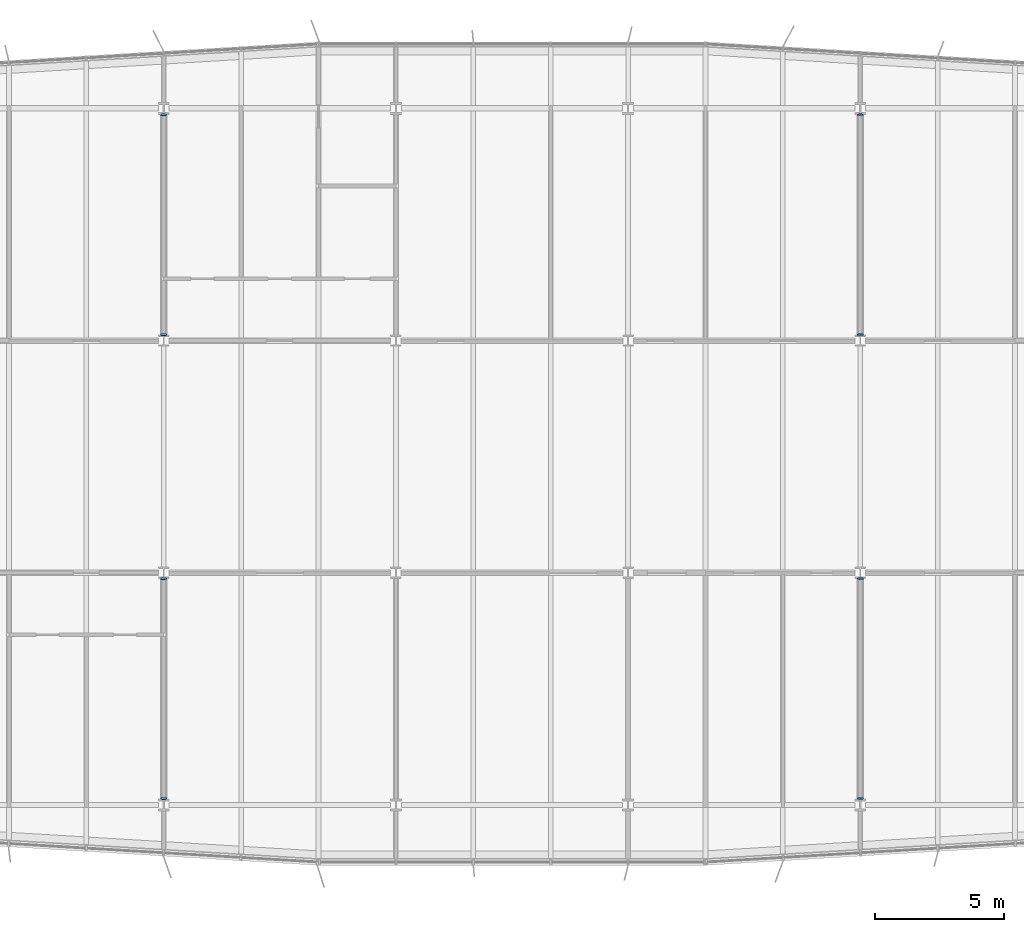
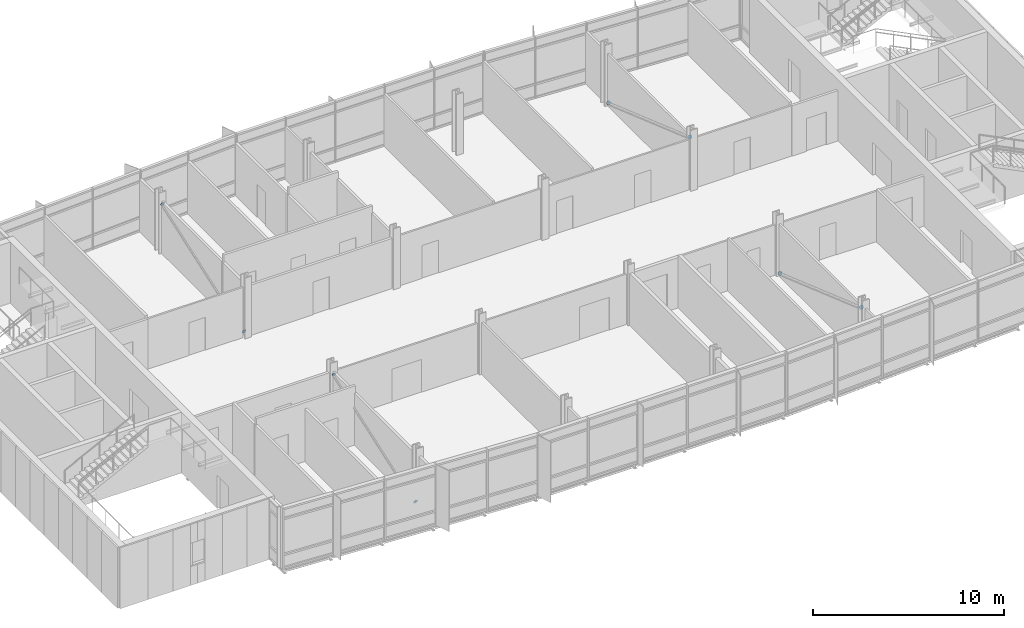
# One storey, part 14 of 17: 8 discrete accessories.
"""IFC4 building model written with IfcOpenShell, lengths in metres."""

import ifcopenshell
import ifcopenshell.guid

model = None  # the IFC model being written
_history = None  # IfcOwnerHistory: only IFC2X3 demands one
_inside = {}  # id of a spatial element -> (the spatial element, [elements in it])
_under = {}  # id of a project, library or spatial element -> (it, [spatial elements below it])
_declared = {}  # id of a project -> (the project, [libraries it declares])
_typed = {}  # id of a type object -> (the type object, [elements of that type])
_made_of = {}  # id of a material, layer set ... -> (it, [elements and type objects made of it])


def new_model(schema):
    """Start an empty IFC model of exactly this schema.

    Asked for "IFC4X3", IfcOpenShell would pick the latest addendum, in which some entities
    have other attributes; the version numbers below select the first issue.
    IFC2X3 requires an IfcOwnerHistory on every rooted entity: one is made here for all.
    """
    global model, _history
    if schema == "IFC4X3":
        model = ifcopenshell.file(schema_version=(4, 3, 0, 0))
    else:
        model = ifcopenshell.file(schema=schema)
    _inside.clear()
    _under.clear()
    _declared.clear()
    _typed.clear()
    _made_of.clear()
    _history = None
    if model.schema == "IFC2X3":
        org = make("IfcOrganization", Name="unknown")
        user = make(
            "IfcPersonAndOrganization",
            ThePerson=make("IfcPerson", FamilyName="unknown"),
            TheOrganization=org,
        )
        app = make(
            "IfcApplication",
            ApplicationDeveloper=org,
            Version="unknown",
            ApplicationFullName="unknown",
            ApplicationIdentifier="unknown",
        )
        _history = make(
            "IfcOwnerHistory",
            OwningUser=user,
            OwningApplication=app,
            ChangeAction="ADDED",
            CreationDate=0,
        )
    return model


def make(cls, **values):
    """One entity of the class cls with the attributes given. An attribute that is None is left unset."""
    return model.create_entity(
        cls, **{name: value for name, value in values.items() if value is not None}
    )


def rooted(cls, **values):
    """An entity with a GlobalId (a new one), such as an element, a storey or a relation."""
    return make(cls, GlobalId=ifcopenshell.guid.new(), OwnerHistory=_history, **values)


def si_unit(unit_type, name, prefix=None):
    """IfcSIUnit, for example si_unit("LENGTHUNIT", "METRE", prefix="MILLI")."""
    return make("IfcSIUnit", UnitType=unit_type, Prefix=prefix, Name=name)


def assignment(units):
    """IfcUnitAssignment: the units of a project."""
    return None if units is None else make("IfcUnitAssignment", Units=units)


def point(xyz):
    """IfcCartesianPoint."""
    return None if xyz is None else make("IfcCartesianPoint", Coordinates=xyz)


def direction(xyz):
    """IfcDirection."""
    return None if xyz is None else make("IfcDirection", DirectionRatios=xyz)


def frame(location, z_axis=None, x_axis=None):
    """IfcAxis2Placement3D, a coordinate frame: its origin and axes. An axis left out is left unset."""
    return make(
        "IfcAxis2Placement3D",
        Location=point(location),
        Axis=direction(z_axis),
        RefDirection=direction(x_axis),
    )


def frame_2d(location, x_axis=None):
    """IfcAxis2Placement2D, a coordinate frame in the plane: its origin and x axis."""
    return make(
        "IfcAxis2Placement2D", Location=point(location), RefDirection=direction(x_axis)
    )


def origin():
    """The frame at (0, 0, 0) with its axes left unset."""
    return frame((0.0, 0.0, 0.0))


def origin_2d():
    """The frame at (0, 0) in the plane with its x axis left unset."""
    return frame_2d((0.0, 0.0))


def place(relative_to, where):
    """IfcLocalPlacement: puts the frame where relative to a parent placement (None: the world)."""
    return make(
        "IfcLocalPlacement", PlacementRelTo=relative_to, RelativePlacement=where
    )


def context(
    kind, dimensions, precision=None, world=None, true_north=None, identifier=None
):
    """IfcGeometricRepresentationContext, for example the 3D "Model" context."""
    return make(
        "IfcGeometricRepresentationContext",
        ContextIdentifier=identifier,
        ContextType=kind,
        CoordinateSpaceDimension=dimensions,
        Precision=precision,
        WorldCoordinateSystem=world,
        TrueNorth=true_north,
    )


def subcontext(parent, identifier, kind, view, scale=None):
    """IfcGeometricRepresentationSubContext, for example "Body" below "Model"."""
    return make(
        "IfcGeometricRepresentationSubContext",
        ContextIdentifier=identifier,
        ContextType=kind,
        ParentContext=parent,
        TargetScale=scale,
        TargetView=view,
    )


def project(units=None, contexts=None):
    """IfcProject with its units and contexts."""
    return rooted(
        "IfcProject",
        Name="project",
        RepresentationContexts=contexts,
        UnitsInContext=assignment(units),
    )


def spatial(cls, under=None, at=None, **own):
    """A site, building, storey or space (cls), placed at a placement, below another one or the project."""
    s = rooted(cls, ObjectPlacement=at, **own)
    if under is not None:
        _under.setdefault(under.id(), (under, []))[1].append(s)
    return s


def profile(cls, at=None, kind="AREA", **sizes):
    """A parametric profile (cls). Its sizes go by their IFC names, for example OverallWidth=200.0."""
    return make(cls, ProfileType=kind, Position=at, **sizes)


def circle(**sizes):
    """IfcCircleProfileDef."""
    return profile("IfcCircleProfileDef", **sizes)


def extrude(swept, where, along, depth):
    """IfcExtrudedAreaSolid: the profile swept, set in the frame where, extruded along a direction by depth."""
    return make(
        "IfcExtrudedAreaSolid",
        SweptArea=swept,
        Position=where,
        ExtrudedDirection=direction(along),
        Depth=depth,
    )


def shape(context_of_items, identifier, shape_type, items):
    """IfcShapeRepresentation: the items that make up one representation, for example the "Body"."""
    return make(
        "IfcShapeRepresentation",
        ContextOfItems=context_of_items,
        RepresentationIdentifier=identifier,
        RepresentationType=shape_type,
        Items=items,
    )


def material(Name=None, Category=None):
    """IfcMaterial."""
    return make("IfcMaterial", Name=Name, Category=Category)


def material_profile(
    of_material, cross_section, Name=None, Category=None, Priority=None
):
    """IfcMaterialProfile: a cross section and its material."""
    return make(
        "IfcMaterialProfile",
        Name=Name,
        Material=of_material,
        Profile=cross_section,
        Priority=Priority,
        Category=Category,
    )


def profile_set(profiles, Name=None, composite=None):
    """IfcMaterialProfileSet."""
    return make(
        "IfcMaterialProfileSet",
        Name=Name,
        MaterialProfiles=profiles,
        CompositeProfile=composite,
    )


def made_of(thing, what):
    """Note that an element or type object is made of a material, layer set ...; save() writes the relation."""
    if what is not None:
        _made_of.setdefault(what.id(), (what, []))[1].append(thing)
    return thing


def type_object(cls, material=None, **own):
    """A type object (cls), such as IfcWallType, which elements share."""
    return made_of(rooted(cls, **own), material)


def element(
    cls,
    number,
    at=None,
    inside=None,
    cuts=None,
    type_object=None,
    material=None,
    context=None,
    identifier="Body",
    shape_type=None,
    held_by="IfcProductDefinitionShape",
    body=None,
    shapes=None,
    **own,
):
    """One element of the class cls, such as IfcWall. Its Tag is "e" and its number.

    at: its placement. inside: the storey or other place that contains it. cuts: it is an
    opening in that element (IfcRelVoidsElement). A single representation is given by context,
    identifier, shape_type and body (its items); several are given by shapes. held_by: the class
    of the entity that holds the representations. save() writes the other relations.
    """
    e = rooted(cls, Tag="e%d" % number, ObjectPlacement=at, **own)
    if body is not None:
        shapes = [shape(context, identifier, shape_type, body)]
    if shapes is not None:
        e.Representation = make(held_by, Representations=shapes)
    if inside is not None:
        _inside.setdefault(inside.id(), (inside, []))[1].append(e)
    if cuts is not None:
        rooted(
            "IfcRelVoidsElement", RelatingBuildingElement=cuts, RelatedOpeningElement=e
        )
    if type_object is not None:
        _typed.setdefault(type_object.id(), (type_object, []))[1].append(e)
    return made_of(e, material)


def aggregate(whole, parts):
    """IfcRelAggregates: a whole, such as a stair, and the parts it consists of."""
    return rooted("IfcRelAggregates", RelatingObject=whole, RelatedObjects=parts)


def save(model, path):
    """Write the relations noted so far, then the file.

    IfcRelAggregates (storeys below a building ...), IfcRelContainedInSpatialStructure (elements
    in a storey), IfcRelDefinesByType, IfcRelAssociatesMaterial and IfcRelDeclares: one each for
    every whole, place, type object, material and project.
    """
    for whole, parts in _under.values():
        aggregate(whole, parts)
    for where, things in _inside.values():
        rooted(
            "IfcRelContainedInSpatialStructure",
            RelatedElements=things,
            RelatingStructure=where,
        )
    for kind, things in _typed.values():
        rooted("IfcRelDefinesByType", RelatedObjects=things, RelatingType=kind)
    for what, things in _made_of.values():
        rooted("IfcRelAssociatesMaterial", RelatedObjects=things, RelatingMaterial=what)
    for by, libraries in _declared.values():
        rooted("IfcRelDeclares", RelatingContext=by, RelatedDefinitions=libraries)
    model.write(path)


model = new_model("IFC4")

# Units and contexts
model_context = context("Model", 3, precision=1e-05, world=origin(), true_north=direction((0.0, 1.0)))
body_context = subcontext(model_context, "Body", "Model", "MODEL_VIEW")
ifc_project = project(units=[si_unit("LENGTHUNIT", "METRE"), si_unit("AREAUNIT", "SQUARE_METRE"), si_unit("VOLUMEUNIT", "CUBIC_METRE"), si_unit("PLANEANGLEUNIT", "RADIAN"), si_unit("MASSUNIT", "GRAM", prefix="KILO")], contexts=[model_context])

# Site, building, storey
site_placement = place(None, origin())
site = spatial("IfcSite", under=ifc_project, at=site_placement, CompositionType="ELEMENT")
building_placement = place(site_placement, origin())
building = spatial("IfcBuilding", under=site, at=building_placement, Name="Azimuth Sports and Learning Centre", CompositionType="ELEMENT")
storey_placement = place(building_placement, frame((0.0, 0.0, 40.199951171875)))
storey = spatial("IfcBuildingStorey", under=building, at=storey_placement, Name="L08", CompositionType="ELEMENT", Elevation=40.199951171875)

# Discrete accessories
ifc_material = material(Name="Steel S355", Category="steel")
ifc_material_profile = material_profile(ifc_material, circle(Radius=0.122314453125, at=origin_2d()), Name="PL 244 DISC")
ifc_profile_set = profile_set([ifc_material_profile], Name="Steel S355")
discrete_accessory_type = type_object("IfcDiscreteAccessoryType", Name="End plate CHS 244.5x12.5", PredefinedType="USERDEFINED", material=ifc_profile_set)
discrete_accessory_1_placement = place(storey_placement, frame((72.0, 90.25732421875, 0.16943359375), z_axis=(0.0, -0.943667134088, -0.330896267797), x_axis=(1.0, 0.0, 0.0)))
element("IfcDiscreteAccessory", 1, at=discrete_accessory_1_placement, inside=storey, type_object=discrete_accessory_type, Name="End plate Tower brace 9 L08 lower end", ObjectType="END PLATE", PredefinedType="USERDEFINED", context=body_context, shape_type="SweptSolid", body=[
    extrude(circle(Radius=0.122314453125, at=origin_2d()), origin(), (0.0, 0.0, 1.0), 0.02001953125),
])
for number, where, z_axis, x_axis, name in (
    (2, (72.0, 98.761962890625, 3.150634765625), (0.0, 0.94498607344, 0.327110563883), (-1.0, 0.0, 0.0), "End plate Tower brace 9 L08 upper end"),
    (3, (72.0, 108.238037109375, 0.16943359375), (0.0, -0.94498607344, -0.327110563883), (1.0, 0.0, 0.0), "End plate Tower brace 9 L08 lower end"),
):
    element("IfcDiscreteAccessory", number, at=place(storey_placement, frame(where, z_axis=z_axis, x_axis=x_axis)), inside=storey, type_object=discrete_accessory_type, Name=name, ObjectType="END PLATE", PredefinedType="USERDEFINED", context=body_context, shape_type="SweptSolid", body=[
        extrude(circle(Radius=0.122314453125, at=origin_2d()), origin(), (0.0, 0.0, 1.0), 0.020263671875),
    ])
discrete_accessory_2_placement = place(storey_placement, frame((72.0, 116.74267578125, 3.150634765625), z_axis=(0.0, 0.943667134088, 0.330896267797), x_axis=(-1.0, 0.0, 0.0)))
element("IfcDiscreteAccessory", 4, at=discrete_accessory_2_placement, inside=storey, type_object=discrete_accessory_type, Name="End plate Tower brace 9 L08 upper end", ObjectType="END PLATE", PredefinedType="USERDEFINED", context=body_context, shape_type="SweptSolid", body=[
    extrude(circle(Radius=0.122314453125, at=origin_2d()), origin(), (0.0, 0.0, 1.0), 0.02001953125),
])
discrete_accessory_3_placement = place(storey_placement, frame((99.0, 98.761962890625, 0.16943359375), z_axis=(0.0, 0.94498607344, -0.327110563883), x_axis=(-1.0, 0.0, 0.0)))
element("IfcDiscreteAccessory", 5, at=discrete_accessory_3_placement, inside=storey, type_object=discrete_accessory_type, Name="End plate Tower brace 12 L08 lower end", ObjectType="END PLATE", PredefinedType="USERDEFINED", context=body_context, shape_type="SweptSolid", body=[
    extrude(circle(Radius=0.122314453125, at=origin_2d()), origin(), (0.0, 0.0, 1.0), 0.020263671875),
])
for number, where, z_axis, x_axis, name in (
    (6, (99.0, 90.25732421875, 3.150634765625), (0.0, -0.943667134088, 0.330896267797), (1.0, 0.0, 0.0), "End plate Tower brace 12 L08 upper end"),
    (7, (99.0, 116.74267578125, 0.16943359375), (0.0, 0.943667134088, -0.330896267797), (-1.0, 0.0, 0.0), "End plate Tower brace 12 L08 lower end"),
):
    element("IfcDiscreteAccessory", number, at=place(storey_placement, frame(where, z_axis=z_axis, x_axis=x_axis)), inside=storey, type_object=discrete_accessory_type, Name=name, ObjectType="END PLATE", PredefinedType="USERDEFINED", context=body_context, shape_type="SweptSolid", body=[
        extrude(circle(Radius=0.122314453125, at=origin_2d()), origin(), (0.0, 0.0, 1.0), 0.02001953125),
    ])
discrete_accessory_4_placement = place(storey_placement, frame((99.0, 108.238037109375, 3.150634765625), z_axis=(0.0, -0.94498607344, 0.327110563883), x_axis=(1.0, 0.0, 0.0)))
element("IfcDiscreteAccessory", 8, at=discrete_accessory_4_placement, inside=storey, type_object=discrete_accessory_type, Name="End plate Tower brace 12 L08 upper end", ObjectType="END PLATE", PredefinedType="USERDEFINED", context=body_context, shape_type="SweptSolid", body=[
    extrude(circle(Radius=0.122314453125, at=origin_2d()), origin(), (0.0, 0.0, 1.0), 0.020263671875),
])

save(model, "model.ifc")
